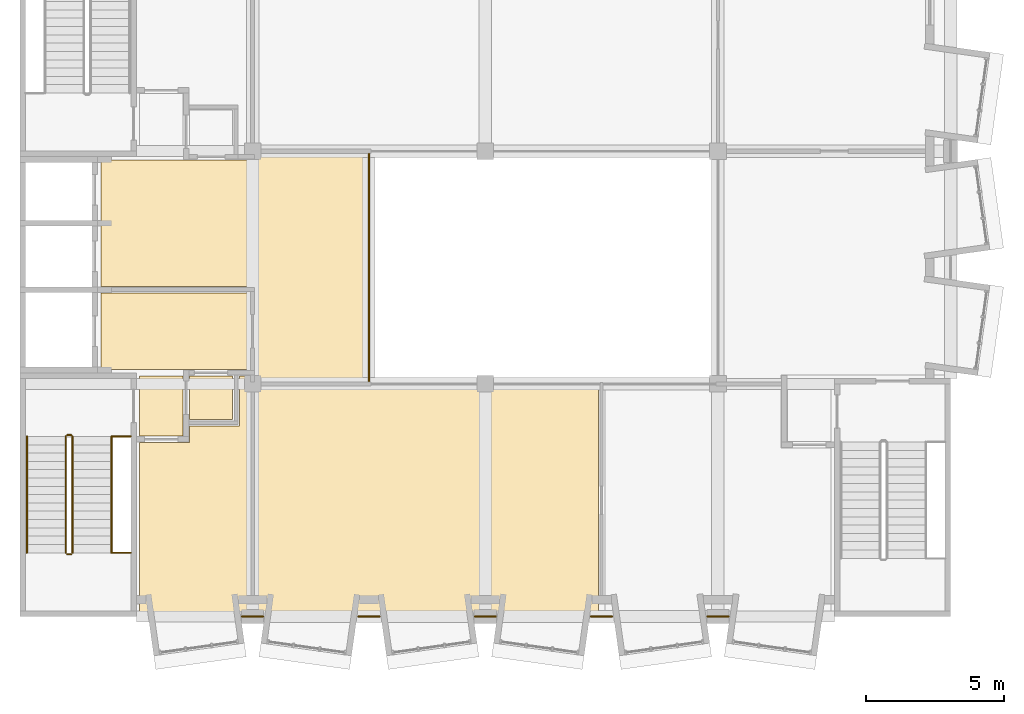
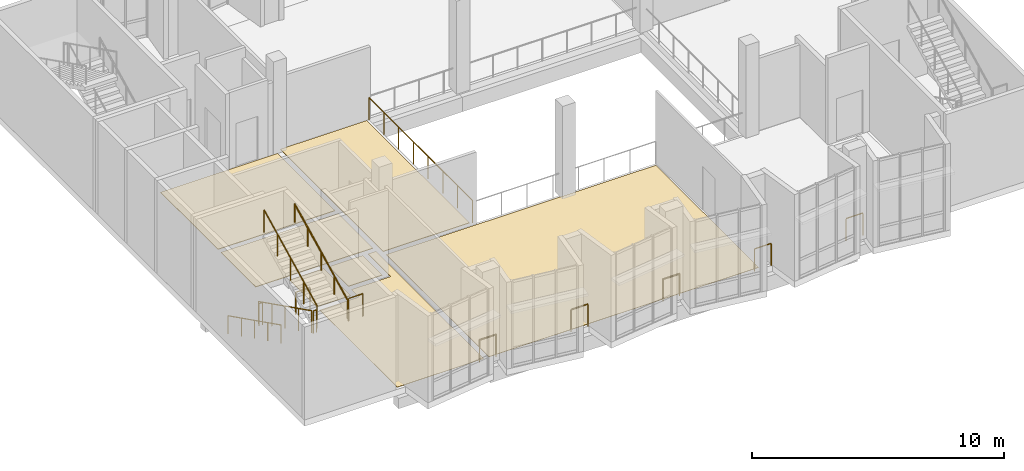
# One storey, part 90 of 95: 14 railings, 7 coverings.
"""IFC4 building model written with IfcOpenShell, lengths in metres."""

from ifc_helpers import new_model, si_unit, direction, frame, origin, origin_2d, place, context, subcontext, project, spatial, polyline, circle, outline, extrude, material, layer, layer_set, type_object, element, save


model = new_model("IFC4")

# Units and contexts
model_context = context("Model", 3, precision=1e-05, world=origin(), true_north=direction((0.0, 1.0)))
body_context = subcontext(model_context, "Body", "Model", "MODEL_VIEW")
ifc_project = project(units=[si_unit("LENGTHUNIT", "METRE"), si_unit("AREAUNIT", "SQUARE_METRE"), si_unit("VOLUMEUNIT", "CUBIC_METRE"), si_unit("PLANEANGLEUNIT", "RADIAN"), si_unit("MASSUNIT", "GRAM", prefix="KILO")], contexts=[model_context])

# Site, building, storey
site_placement = place(None, origin())
site = spatial("IfcSite", under=ifc_project, at=site_placement, CompositionType="ELEMENT")
building_placement = place(site_placement, origin())
building = spatial("IfcBuilding", under=site, at=building_placement, Name="Kiln Court Media Centre", CompositionType="ELEMENT")
storey_placement = place(building_placement, frame((0.0, 0.0, 24.60009765625)))
storey = spatial("IfcBuildingStorey", under=building, at=storey_placement, Name="L05", CompositionType="ELEMENT", Elevation=24.60009765625)

# Coverings
ifc_material_1 = material(Name="Carpet tile")
ifc_layer_1 = layer(ifc_material_1, 0.014892578125)
ifc_layer_set_1 = layer_set([ifc_layer_1], Name="Carpet tile floor finish 15")
covering_type_1 = type_object("IfcCoveringType", Name="Carpet tile floor finish 15", PredefinedType="FLOORING", material=ifc_layer_set_1)
covering_1_placement = place(storey_placement, origin())
element("IfcCovering", 1, at=covering_1_placement, inside=storey, type_object=covering_type_1, Name="Digital Archive and Viewing Rooms floor finish", PredefinedType="FLOORING", context=body_context, shape_type="SweptSolid", body=[
    extrude(outline(polyline([(8.52001953125, 0.1201171875), (20.8798828125, 0.1201171875), (20.8798828125, 8.280029296875), (8.52001953125, 8.280029296875), (8.52001953125, 0.1201171875)])), origin(), (0.0, 0.0, 1.0), 0.014892578125),
])
ifc_material_2 = material(Name="Ceramic tile")
ifc_layer_2 = layer(ifc_material_2, 0.011962890625)
ifc_layer_set_2 = layer_set([ifc_layer_2], Name="Ceramic tile floor finish 12")
covering_type_2 = type_object("IfcCoveringType", Name="Ceramic tile floor finish 12", PredefinedType="FLOORING", material=ifc_layer_set_2)
covering_2_placement = place(storey_placement, origin())
element("IfcCovering", 2, at=covering_2_placement, inside=storey, type_object=covering_type_2, Name="Toilets and Accessible WC floor finish", PredefinedType="FLOORING", context=body_context, shape_type="SweptSolid", body=[
    extrude(outline(polyline([(8.280029296875, 8.679931640625), (7.919921875, 8.679931640625), (7.919921875, 6.8798828125), (6.1201171875, 6.8798828125), (6.1201171875, 6.280029296875), (4.320068359375, 6.280029296875), (4.320068359375, 0.1201171875), (8.280029296875, 0.1201171875), (8.280029296875, 8.679931640625)])), origin(), (0.0, 0.0, 1.0), 0.011962890625),
])
ifc_material_3 = material(Name="Terrazzo")
ifc_layer_3 = layer(ifc_material_3, 0.02490234375)
ifc_layer_set_3 = layer_set([ifc_layer_3], Name="Polished terrazzo floor finish 25")
covering_type_3 = type_object("IfcCoveringType", Name="Polished terrazzo floor finish 25", PredefinedType="FLOORING", material=ifc_layer_set_3)
covering_3_placement = place(storey_placement, origin())
element("IfcCovering", 3, at=covering_3_placement, inside=storey, type_object=covering_type_3, Name="Stair 1 Vestibule floor finish", PredefinedType="FLOORING", context=body_context, shape_type="SweptSolid", body=[
    extrude(outline(polyline([(4.320068359375, 6.52001953125), (5.8798828125, 6.52001953125), (5.8798828125, 8.679931640625), (4.320068359375, 8.679931640625), (4.320068359375, 6.52001953125)])), origin(), (0.0, 0.0, 1.0), 0.02490234375),
])
covering_4_placement = place(storey_placement, origin())
element("IfcCovering", 4, at=covering_4_placement, inside=storey, type_object=covering_type_3, Name="Wheelchair Refuge floor finish", PredefinedType="FLOORING", context=body_context, shape_type="SweptSolid", body=[
    extrude(outline(polyline([(6.1201171875, 7.1201171875), (7.679931640625, 7.1201171875), (7.679931640625, 8.679931640625), (6.1201171875, 8.679931640625), (6.1201171875, 7.1201171875)])), origin(), (0.0, 0.0, 1.0), 0.02490234375),
])
covering_5_placement = place(storey_placement, origin())
element("IfcCovering", 5, at=covering_5_placement, inside=storey, type_object=covering_type_3, Name="Gallery Landing floor finish", PredefinedType="FLOORING", context=body_context, shape_type="SweptSolid", body=[
    extrude(outline(polyline([(8.52001953125, 8.52001953125), (12.47998046875, 8.52001953125), (12.47998046875, 16.679931640625), (8.52001953125, 16.679931640625), (8.52001953125, 8.52001953125)])), origin(), (0.0, 0.0, 1.0), 0.02490234375),
])
covering_6_placement = place(storey_placement, origin())
element("IfcCovering", 6, at=covering_6_placement, inside=storey, type_object=covering_type_3, Name="Fire-fighting Lift Lobby floor finish", PredefinedType="FLOORING", context=body_context, shape_type="SweptSolid", body=[
    extrude(outline(polyline([(2.919921875, 8.919921875), (8.280029296875, 8.919921875), (8.280029296875, 11.679931640625), (2.919921875, 11.679931640625), (2.919921875, 8.919921875)])), origin(), (0.0, 0.0, 1.0), 0.02490234375),
])
covering_7_placement = place(storey_placement, origin())
element("IfcCovering", 7, at=covering_7_placement, inside=storey, type_object=covering_type_3, Name="Passenger Lift Lobby floor finish", PredefinedType="FLOORING", context=body_context, shape_type="SweptSolid", body=[
    extrude(outline(polyline([(2.919921875, 11.919921875), (8.280029296875, 11.919921875), (8.280029296875, 16.47998046875), (2.919921875, 16.47998046875), (2.919921875, 11.919921875)])), origin(), (0.0, 0.0, 1.0), 0.02490234375),
])

# Railings
ifc_material_4 = material(Name="Steel S275", Category="steel")
railing_type_1 = type_object("IfcRailingType", Name="Steel S275 balustrade guard 1100", PredefinedType="GUARDRAIL", material=ifc_material_4)
railing_1_placement = place(storey_placement, frame((12.60009765625, 16.705078125, 0.0)))
element("IfcRailing", 8, at=railing_1_placement, inside=storey, type_object=railing_type_1, Name="L05 void edge guard", PredefinedType="GUARDRAIL", context=body_context, shape_type="SweptSolid", body=[
    extrude(circle(Radius=0.02392578125, at=origin_2d()), frame((0.0, 0.0, 1.076171875), z_axis=(0.0, -1.0, 0.0), x_axis=(1.0, 0.0, 0.0)), (0.0, 0.0, 1.0), 8.2099609375),
    extrude(circle(Radius=0.02099609375, at=origin_2d()), origin(), (0.0, 0.0, 1.0), 1.052001953125),
    extrude(circle(Radius=0.02099609375, at=origin_2d()), frame((0.0, -1.1728515625, 0.0)), (0.0, 0.0, 1.0), 1.052001953125),
    extrude(circle(Radius=0.02099609375, at=origin_2d()), frame((0.0, -2.345703125, 0.0)), (0.0, 0.0, 1.0), 1.052001953125),
    extrude(circle(Radius=0.02099609375, at=origin_2d()), frame((0.0, -3.5185546875, 0.0)), (0.0, 0.0, 1.0), 1.052001953125),
    extrude(circle(Radius=0.02099609375, at=origin_2d()), frame((0.0, -4.69140625, 0.0)), (0.0, 0.0, 1.0), 1.052001953125),
    extrude(circle(Radius=0.02099609375, at=origin_2d()), frame((0.0, -5.8642578125, 0.0)), (0.0, 0.0, 1.0), 1.052001953125),
    extrude(circle(Radius=0.02099609375, at=origin_2d()), frame((0.0, -7.037109375, 0.0)), (0.0, 0.0, 1.0), 1.052001953125),
    extrude(circle(Radius=0.02099609375, at=origin_2d()), frame((0.0, -8.2099609375, 0.0)), (0.0, 0.0, 1.0), 1.052001953125),
])
for number, where, name in (
    (9, (25.582275390625, 0.0, 0.0), "L05 slab notch guard"),
    (10, (21.38232421875, 0.0, 0.0), "L05 slab notch guard"),
    (11, (17.182373046875, 0.0, 0.0), "L05 slab notch guard"),
    (12, (12.982421875, 0.0, 0.0), "L05 slab notch guard"),
    (13, (8.7822265625, 0.0, 0.0), "L05 slab notch guard"),
):
    element("IfcRailing", number, at=place(storey_placement, frame(where)), inside=storey, type_object=railing_type_1, Name=name, PredefinedType="GUARDRAIL", context=body_context, shape_type="SweptSolid", body=[
        extrude(circle(Radius=0.02392578125, at=origin_2d()), frame((0.0, 0.0, 1.076171875), z_axis=(-1.0, 0.0, 0.0), x_axis=(0.0, -1.0, 0.0)), (0.0, 0.0, 1.0), 0.7646484375),
        extrude(circle(Radius=0.02099609375, at=origin_2d()), origin(), (0.0, 0.0, 1.0), 1.052001953125),
        extrude(circle(Radius=0.02099609375, at=origin_2d()), frame((-0.7646484375, 0.0, 0.0)), (0.0, 0.0, 1.0), 1.052001953125),
    ])
ifc_material_5 = material(Name="Steel S275", Category="steel")
railing_type_2 = type_object("IfcRailingType", Name="Steel S275 stair guard 1100", PredefinedType="GUARDRAIL", material=ifc_material_5)
railing_2_placement = place(storey_placement, frame((1.64990234375, 6.5, 0.14990234375)))
element("IfcRailing", 14, at=railing_2_placement, inside=storey, type_object=railing_type_2, Name="ST-01 stair guard", PredefinedType="GUARDRAIL", context=body_context, shape_type="SweptSolid", body=[
    extrude(circle(Radius=0.02392578125, at=origin_2d()), frame((0.0, 0.0, 1.076171875), z_axis=(0.0, -0.894416792377, 0.447234392142), x_axis=(1.0, 0.0, 0.0)), (0.0, 0.0, 1.0), 4.69580078125),
    extrude(circle(Radius=0.02099609375, at=origin_2d()), origin(), (0.0, 0.0, 1.0), 1.052001953125),
    extrude(circle(Radius=0.02099609375, at=origin_2d()), frame((0.0, -1.050048828125, 0.52490234375)), (0.0, 0.0, 1.0), 1.052001953125),
    extrude(circle(Radius=0.02099609375, at=origin_2d()), frame((0.0, -2.10009765625, 1.050048828125)), (0.0, 0.0, 1.0), 1.052001953125),
    extrude(circle(Radius=0.02099609375, at=origin_2d()), frame((0.0, -3.14990234375, 1.5751953125)), (0.0, 0.0, 1.0), 1.052001953125),
    extrude(circle(Radius=0.02099609375, at=origin_2d()), frame((0.0, -4.199951171875, 2.10009765625)), (0.0, 0.0, 1.0), 1.052001953125),
])
railing_3_placement = place(storey_placement, frame((1.699951171875, 2.25, 2.25)))
element("IfcRailing", 15, at=railing_3_placement, inside=storey, type_object=railing_type_2, Name="ST-01 stair guard", PredefinedType="GUARDRAIL", context=body_context, shape_type="SweptSolid", body=[
    extrude(circle(Radius=0.02392578125, at=origin_2d()), frame((0.0, 0.0, 1.076171875), z_axis=(1.0, 0.0, 0.0), x_axis=(0.0, 1.0, 0.0)), (0.0, 0.0, 1.0), 0.150146484375),
    extrude(circle(Radius=0.02099609375, at=origin_2d()), origin(), (0.0, 0.0, 1.0), 1.052001953125),
    extrude(circle(Radius=0.02099609375, at=origin_2d()), frame((0.150146484375, 0.0, 0.0)), (0.0, 0.0, 1.0), 1.052001953125),
])
railing_4_placement = place(storey_placement, frame((1.89990234375, 2.300048828125, 2.39990234375)))
element("IfcRailing", 16, at=railing_4_placement, inside=storey, type_object=railing_type_2, Name="ST-01 stair guard", PredefinedType="GUARDRAIL", context=body_context, shape_type="SweptSolid", body=[
    extrude(circle(Radius=0.02392578125, at=origin_2d()), frame((0.0, 0.0, 1.076171875), z_axis=(0.0, 0.894416792377, 0.447234392142), x_axis=(-1.0, 0.0, 0.0)), (0.0, 0.0, 1.0), 4.69580078125),
    extrude(circle(Radius=0.02099609375, at=origin_2d()), origin(), (0.0, 0.0, 1.0), 1.052001953125),
    extrude(circle(Radius=0.02099609375, at=origin_2d()), frame((0.0, 1.050048828125, 0.52490234375)), (0.0, 0.0, 1.0), 1.052001953125),
    extrude(circle(Radius=0.02099609375, at=origin_2d()), frame((0.0, 2.10009765625, 1.050048828125)), (0.0, 0.0, 1.0), 1.052001953125),
    extrude(circle(Radius=0.02099609375, at=origin_2d()), frame((0.0, 3.14990234375, 1.5751953125)), (0.0, 0.0, 1.0), 1.052001953125),
    extrude(circle(Radius=0.02099609375, at=origin_2d()), frame((0.0, 4.199951171875, 2.10009765625)), (0.0, 0.0, 1.0), 1.052001953125),
])
railing_5_placement = place(storey_placement, frame((1.699951171875, 6.550048828125, 0.0)))
element("IfcRailing", 17, at=railing_5_placement, inside=storey, type_object=railing_type_2, Name="ST-01 stair guard", PredefinedType="GUARDRAIL", context=body_context, shape_type="SweptSolid", body=[
    extrude(circle(Radius=0.02392578125, at=origin_2d()), frame((0.0, 0.0, 1.076171875), z_axis=(1.0, 0.0, 0.0), x_axis=(0.0, 1.0, 0.0)), (0.0, 0.0, 1.0), 0.150146484375),
    extrude(circle(Radius=0.02099609375, at=origin_2d()), origin(), (0.0, 0.0, 1.0), 1.052001953125),
    extrude(circle(Radius=0.02099609375, at=origin_2d()), frame((0.150146484375, 0.0, 0.0)), (0.0, 0.0, 1.0), 1.052001953125),
])
for number, where, name in (
    (18, (3.35009765625, 2.300048828125, 2.25), "ST-01 landing edge guard"),
    (19, (3.35009765625, 6.5, 0.0), "ST-01 landing edge guard"),
):
    element("IfcRailing", number, at=place(storey_placement, frame(where)), inside=storey, type_object=railing_type_2, Name=name, PredefinedType="GUARDRAIL", context=body_context, shape_type="SweptSolid", body=[
        extrude(circle(Radius=0.02392578125, at=origin_2d()), frame((0.0, 0.0, 1.076171875), z_axis=(1.0, 0.0, 0.0), x_axis=(0.0, 1.0, 0.0)), (0.0, 0.0, 1.0), 0.64990234375),
        extrude(circle(Radius=0.02099609375, at=origin_2d()), origin(), (0.0, 0.0, 1.0), 1.052001953125),
        extrude(circle(Radius=0.02099609375, at=origin_2d()), frame((0.64990234375, 0.0, 0.0)), (0.0, 0.0, 1.0), 1.052001953125),
    ])
ifc_material_6 = material(Name="Steel S275", Category="steel")
railing_type_3 = type_object("IfcRailingType", Name="Steel S275 stair handrail 900", PredefinedType="HANDRAIL", material=ifc_material_6)
railing_6_placement = place(storey_placement, frame((0.25, 6.5, 0.14990234375)))
element("IfcRailing", 20, at=railing_6_placement, inside=storey, type_object=railing_type_3, Name="ST-01 stair handrail", PredefinedType="HANDRAIL", context=body_context, shape_type="SweptSolid", body=[
    extrude(circle(Radius=0.02392578125, at=origin_2d()), frame((0.0, 0.0, 0.8759765625), z_axis=(0.0, -0.894416792377, 0.447234392142), x_axis=(1.0, 0.0, 0.0)), (0.0, 0.0, 1.0), 4.69580078125),
    extrude(circle(Radius=0.02099609375, at=origin_2d()), origin(), (0.0, 0.0, 1.0), 0.851806640625),
    extrude(circle(Radius=0.02099609375, at=origin_2d()), frame((0.0, -1.050048828125, 0.52490234375)), (0.0, 0.0, 1.0), 0.851806640625),
    extrude(circle(Radius=0.02099609375, at=origin_2d()), frame((0.0, -2.10009765625, 1.050048828125)), (0.0, 0.0, 1.0), 0.851806640625),
    extrude(circle(Radius=0.02099609375, at=origin_2d()), frame((0.0, -3.14990234375, 1.5751953125)), (0.0, 0.0, 1.0), 0.851806640625),
    extrude(circle(Radius=0.02099609375, at=origin_2d()), frame((0.0, -4.199951171875, 2.10009765625)), (0.0, 0.0, 1.0), 0.851806640625),
])
railing_7_placement = place(storey_placement, frame((3.300048828125, 2.300048828125, 2.39990234375)))
element("IfcRailing", 21, at=railing_7_placement, inside=storey, type_object=railing_type_3, Name="ST-01 stair handrail", PredefinedType="HANDRAIL", context=body_context, shape_type="SweptSolid", body=[
    extrude(circle(Radius=0.02392578125, at=origin_2d()), frame((0.0, 0.0, 0.8759765625), z_axis=(0.0, 0.894416792377, 0.447234392142), x_axis=(-1.0, 0.0, 0.0)), (0.0, 0.0, 1.0), 4.69580078125),
    extrude(circle(Radius=0.02099609375, at=origin_2d()), origin(), (0.0, 0.0, 1.0), 0.851806640625),
    extrude(circle(Radius=0.02099609375, at=origin_2d()), frame((0.0, 1.050048828125, 0.52490234375)), (0.0, 0.0, 1.0), 0.851806640625),
    extrude(circle(Radius=0.02099609375, at=origin_2d()), frame((0.0, 2.10009765625, 1.050048828125)), (0.0, 0.0, 1.0), 0.851806640625),
    extrude(circle(Radius=0.02099609375, at=origin_2d()), frame((0.0, 3.14990234375, 1.5751953125)), (0.0, 0.0, 1.0), 0.851806640625),
    extrude(circle(Radius=0.02099609375, at=origin_2d()), frame((0.0, 4.199951171875, 2.10009765625)), (0.0, 0.0, 1.0), 0.851806640625),
])

save(model, "model.ifc")
